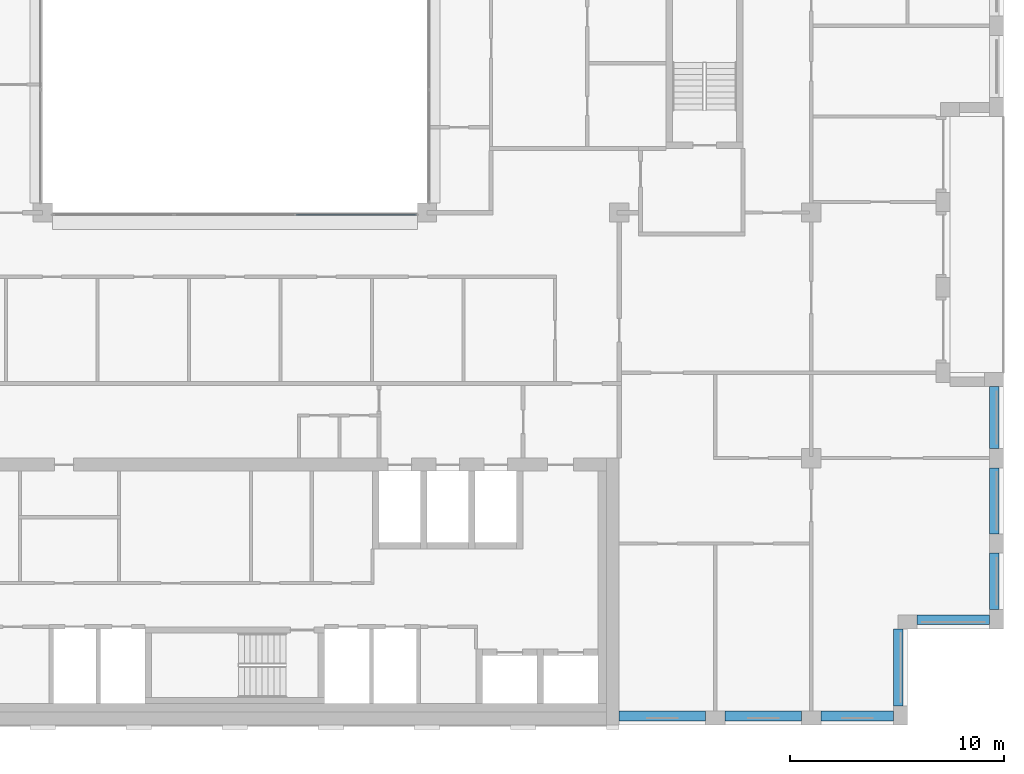
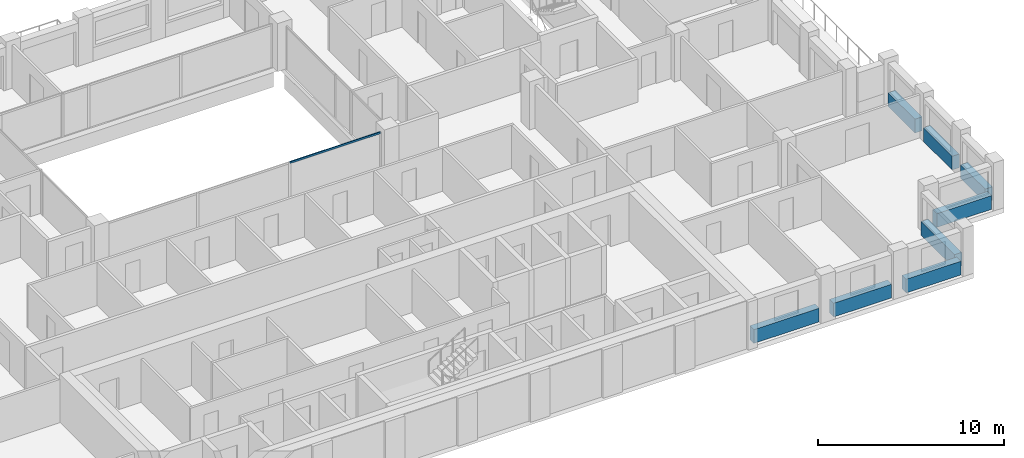
# One storey, part 3 of 15: 8 beams, 1 member, 1 element without a shape of its own.
"""IFC4 building model written with IfcOpenShell, lengths in metres."""

from ifc_helpers import new_model, si_unit, direction, frame, origin, origin_2d, place, context, subcontext, project, spatial, rectangle, extrude, material, layer, layer_set, material_profile, profile_set, type_object, element, aggregate, save


model = new_model("IFC4")

# Units and contexts
model_context = context("Model", 3, precision=1e-05, world=origin(), true_north=direction((0.0, 1.0)))
body_context = subcontext(model_context, "Body", "Model", "MODEL_VIEW")
ifc_project = project(units=[si_unit("LENGTHUNIT", "METRE"), si_unit("AREAUNIT", "SQUARE_METRE"), si_unit("VOLUMEUNIT", "CUBIC_METRE"), si_unit("PLANEANGLEUNIT", "RADIAN"), si_unit("MASSUNIT", "GRAM", prefix="KILO")], contexts=[model_context])

# Site, building, storey
site_placement = place(None, origin())
site = spatial("IfcSite", under=ifc_project, at=site_placement, CompositionType="ELEMENT")
building_placement = place(site_placement, origin())
building = spatial("IfcBuilding", under=site, at=building_placement, Name="Brigalow Station Residences", CompositionType="ELEMENT")
storey_placement = place(building_placement, frame((0.0, 0.0, 220.050048828125)))
storey = spatial("IfcBuildingStorey", under=building, at=storey_placement, Name="L63", CompositionType="ELEMENT", Elevation=220.050048828125)

# Curtain wall, member
ifc_material_1 = material(Name="Aluminium", Category="aluminium")
ifc_layer = layer(ifc_material_1, 0.14990234375)
ifc_layer_set = layer_set([ifc_layer], Name="ATRIUM FIRE-RATED GLAZING CURTAIN WALL")
curtain_wall_type = type_object("IfcCurtainWallType", Name="ATRIUM FIRE-RATED GLAZING CURTAIN WALL", PredefinedType="NOTDEFINED", material=ifc_layer_set)
curtain_wall_placement = place(storey_placement, origin())
curtain_wall = element("IfcCurtainWall", 1, at=curtain_wall_placement, inside=storey, type_object=curtain_wall_type, Name="L63/cw/atrium-S", PredefinedType="NOTDEFINED")
ifc_material_2 = material(Name="Aluminium", Category="aluminium")
ifc_material_profile_1 = material_profile(ifc_material_2, rectangle(XDim=0.06005859375, YDim=0.1201171875, at=origin_2d()), Name="ATRIUM FIRE-RATED GLAZING TRANSOM 60x120")
ifc_profile_set_1 = profile_set([ifc_material_profile_1], Name="Aluminium")
member_type = type_object("IfcMemberType", Name="ATRIUM FIRE-RATED GLAZING TRANSOM 60x120", PredefinedType="USERDEFINED", material=ifc_profile_set_1)
member_placement = place(storey_placement, frame((38.8798828125, 23.89990234375, 2.800048828125), z_axis=(1.0, 0.0, 0.0), x_axis=(0.0, 1.0, 0.0)))
member = element("IfcMember", 2, at=member_placement, type_object=member_type, Name="L63/cw/atrium-S/T02-00", ObjectType="TRANSOM", PredefinedType="USERDEFINED", context=body_context, shape_type="SweptSolid", body=[
    extrude(rectangle(XDim=0.06005859375, YDim=0.1201171875, at=origin_2d()), origin(), (0.0, 0.0, 1.0), 5.610107421875),
])
aggregate(curtain_wall, [member])

# Beams
ifc_material_3 = material(Name="Concrete C50", Category="concrete")
ifc_material_profile_2 = material_profile(ifc_material_3, rectangle(XDim=0.449951171875, YDim=0.89990234375, at=origin_2d()), Name="RC450x900")
ifc_profile_set_2 = profile_set([ifc_material_profile_2], Name="Concrete C50")
beam_type = type_object("IfcBeamType", Name="SPANDREL BEAM 450x900 C50", PredefinedType="SPANDREL", material=ifc_profile_set_2)
beam_1_placement = place(storey_placement, frame((54.0, 0.425048828125, 0.449951171875), z_axis=(1.0, 0.0, 0.0), x_axis=(0.0, 1.0, 0.0)))
element("IfcBeam", 3, at=beam_1_placement, inside=storey, type_object=beam_type, Name="L63/spandrel/W-L63-3", PredefinedType="SPANDREL", context=body_context, shape_type="SweptSolid", body=[
    extrude(rectangle(XDim=0.449951171875, YDim=0.89990234375, at=origin_2d()), origin(), (0.0, 0.0, 1.0), 4.050048828125),
])
beam_2_placement = place(storey_placement, frame((58.949951171875, 0.425048828125, 0.449951171875), z_axis=(1.0, 0.0, 0.0), x_axis=(0.0, 1.0, 0.0)))
element("IfcBeam", 4, at=beam_2_placement, inside=storey, type_object=beam_type, Name="L63/spandrel/W-L63-4", PredefinedType="SPANDREL", context=body_context, shape_type="SweptSolid", body=[
    extrude(rectangle(XDim=0.449951171875, YDim=0.89990234375, at=origin_2d()), origin(), (0.0, 0.0, 1.0), 3.60009765625),
])
beam_3_placement = place(storey_placement, frame((63.449951171875, 0.425048828125, 0.449951171875), z_axis=(1.0, 0.0, 0.0), x_axis=(0.0, 1.0, 0.0)))
element("IfcBeam", 5, at=beam_3_placement, inside=storey, type_object=beam_type, Name="L63/spandrel/W-L63-5", PredefinedType="SPANDREL", context=body_context, shape_type="SweptSolid", body=[
    extrude(rectangle(XDim=0.449951171875, YDim=0.89990234375, at=origin_2d()), origin(), (0.0, 0.0, 1.0), 3.400146484375),
])
beam_4_placement = place(storey_placement, frame((67.074951171875, 0.89990234375, 0.449951171875), z_axis=(0.0, 1.0, 0.0), x_axis=(-1.0, 0.0, 0.0)))
element("IfcBeam", 6, at=beam_4_placement, inside=storey, type_object=beam_type, Name="L63/spandrel/W-L63-6", PredefinedType="SPANDREL", context=body_context, shape_type="SweptSolid", body=[
    extrude(rectangle(XDim=0.449951171875, YDim=0.89990234375, at=origin_2d()), origin(), (0.0, 0.0, 1.0), 3.60009765625),
])
beam_5_placement = place(storey_placement, frame((67.949951171875, 4.925048828125, 0.449951171875), z_axis=(1.0, 0.0, 0.0), x_axis=(0.0, 1.0, 0.0)))
element("IfcBeam", 7, at=beam_5_placement, inside=storey, type_object=beam_type, Name="L63/spandrel/W-L63-7", PredefinedType="SPANDREL", context=body_context, shape_type="SweptSolid", body=[
    extrude(rectangle(XDim=0.449951171875, YDim=0.89990234375, at=origin_2d()), origin(), (0.0, 0.0, 1.0), 3.400146484375),
])
beam_6_placement = place(storey_placement, frame((71.574951171875, 5.39990234375, 0.449951171875), z_axis=(0.0, 1.0, 0.0), x_axis=(-1.0, 0.0, 0.0)))
element("IfcBeam", 8, at=beam_6_placement, inside=storey, type_object=beam_type, Name="L63/spandrel/W-L63-8", PredefinedType="SPANDREL", context=body_context, shape_type="SweptSolid", body=[
    extrude(rectangle(XDim=0.449951171875, YDim=0.89990234375, at=origin_2d()), origin(), (0.0, 0.0, 1.0), 2.650146484375),
])
beam_7_placement = place(storey_placement, frame((71.574951171875, 8.949951171875, 0.449951171875), z_axis=(0.0, 1.0, 0.0), x_axis=(-1.0, 0.0, 0.0)))
element("IfcBeam", 9, at=beam_7_placement, inside=storey, type_object=beam_type, Name="L63/spandrel/W-L63-9", PredefinedType="SPANDREL", context=body_context, shape_type="SweptSolid", body=[
    extrude(rectangle(XDim=0.449951171875, YDim=0.89990234375, at=origin_2d()), origin(), (0.0, 0.0, 1.0), 3.10009765625),
])
beam_8_placement = place(storey_placement, frame((71.574951171875, 12.949951171875, 0.449951171875), z_axis=(0.0, 1.0, 0.0), x_axis=(-1.0, 0.0, 0.0)))
element("IfcBeam", 10, at=beam_8_placement, inside=storey, type_object=beam_type, Name="L63/spandrel/W-L63-10", PredefinedType="SPANDREL", context=body_context, shape_type="SweptSolid", body=[
    extrude(rectangle(XDim=0.449951171875, YDim=0.89990234375, at=origin_2d()), origin(), (0.0, 0.0, 1.0), 2.900146484375),
])

save(model, "model.ifc")
